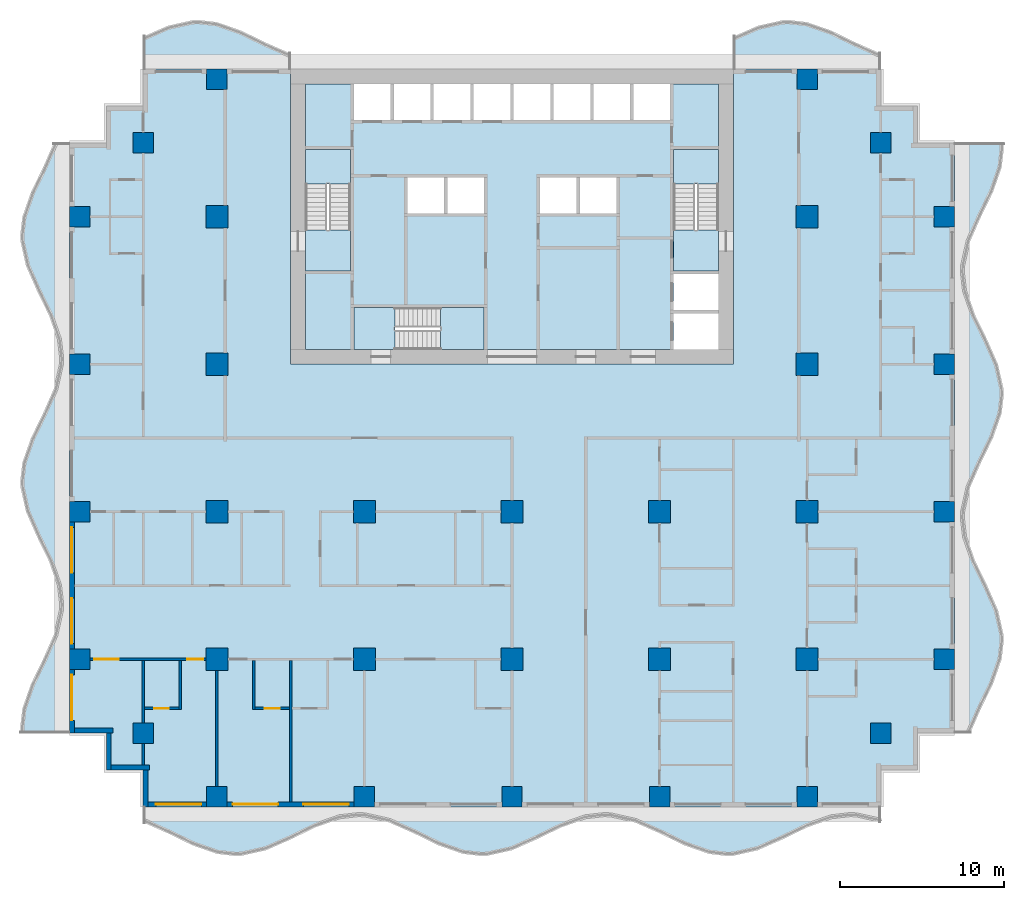
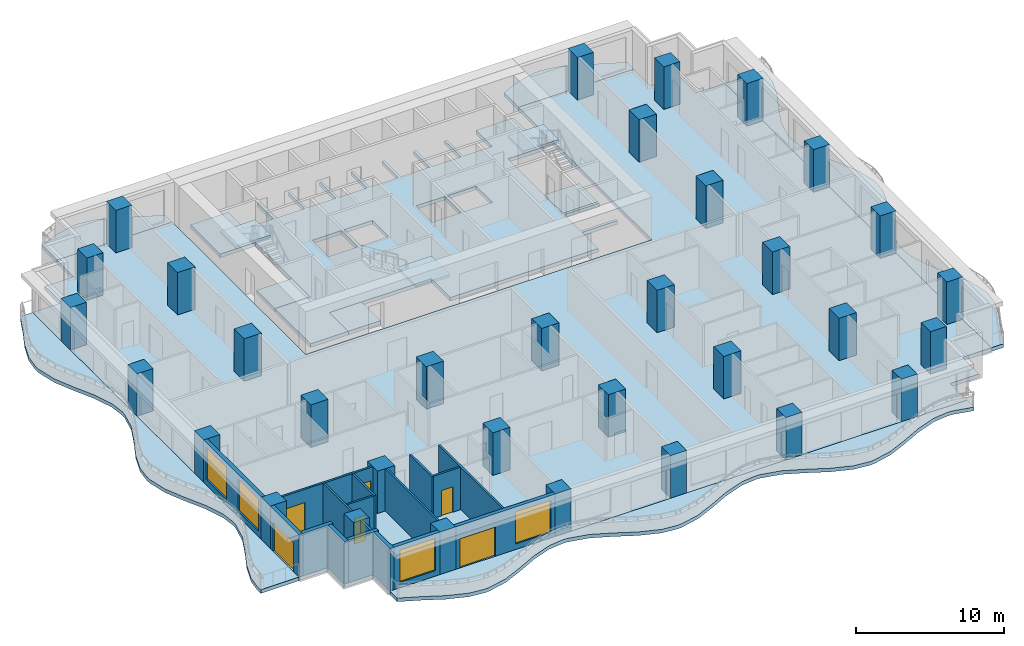
# One storey, part 1 of 14: 33 columns, 17 walls, 13 slabs, 6 doors, 4 windows, 10 openings, 3 elements without a shape of their own.
"""IFC4 building model written with IfcOpenShell, lengths in metres."""

from ifc_helpers import new_model, si_unit, direction, frame, frame_2d, origin, origin_2d, place, context, subcontext, project, spatial, polyline, rectangle, outline, extrude, material, layer, layer_set, material_profile, profile_set, type_object, element, fill, aggregate, save


model = new_model("IFC4")

# Units and contexts
model_context = context("Model", 3, precision=1e-05, world=origin(), true_north=direction((0.0, 1.0)))
body_context = subcontext(model_context, "Body", "Model", "MODEL_VIEW")
ifc_project = project(units=[si_unit("LENGTHUNIT", "METRE"), si_unit("AREAUNIT", "SQUARE_METRE"), si_unit("VOLUMEUNIT", "CUBIC_METRE"), si_unit("PLANEANGLEUNIT", "RADIAN"), si_unit("MASSUNIT", "GRAM", prefix="KILO")], contexts=[model_context])

# Site, building, storey
site_placement = place(None, origin())
site = spatial("IfcSite", under=ifc_project, at=site_placement, CompositionType="ELEMENT")
building_placement = place(site_placement, origin())
building = spatial("IfcBuilding", under=site, at=building_placement, Name="Orbiselva Terraces", CompositionType="ELEMENT")
storey_placement = place(building_placement, frame((0.0, 0.0, 103.6)))
storey = spatial("IfcBuildingStorey", under=building, at=storey_placement, Name="L26", CompositionType="ELEMENT", Elevation=103.6)

# Columns
ifc_material_1 = material(Name="Concrete C70/85", Category="concrete")
ifc_material_profile_1 = material_profile(ifc_material_1, rectangle(XDim=1.35, YDim=1.35, at=origin_2d()), Name="RC 1350x1350")
ifc_profile_set_1 = profile_set([ifc_material_profile_1], Name="Concrete C70/85")
column_type_1 = type_object("IfcColumnType", Name="COLUMN RC 1350x1350", PredefinedType="COLUMN", material=ifc_profile_set_1)
for number, where, z_axis, x_axis, name in (
    (1, (-18.0, -13.5, 0.0), (0.0, 0.0, 1.0), (1.0, 0.0, 0.0), "Column L26-01"),
    (2, (-18.0, -4.5, 0.0), (0.0, 0.0, 1.0), (1.0, 0.0, 0.0), "Column L26-03"),
    (3, (-18.0, 13.5, 0.0), (0.0, 0.0, 1.0), (1.0, 0.0, 0.0), "Column L26-04"),
    (4, (-18.0, 4.5, 0.0), (0.0, 0.0, 1.0), (1.0, 0.0, 0.0), "Column L26-06"),
    (5, (-9.0, -13.5, 0.0), (0.0, 0.0, 1.0), (1.0, 0.0, 0.0), "Column L26-13"),
    (6, (-9.0, -4.5, 0.0), (0.0, 0.0, 1.0), (1.0, 0.0, 0.0), "Column L26-15"),
    (7, (0.0, -13.5, 0.0), (0.0, 0.0, 1.0), (1.0, 0.0, 0.0), "Column L26-16"),
    (8, (0.0, -4.5, 0.0), (0.0, 0.0, 1.0), (1.0, 0.0, 0.0), "Column L26-18"),
    (9, (18.0, -13.5, 0.0), (0.0, 0.0, 1.0), (1.0, 0.0, 0.0), "Column L26-19"),
    (10, (18.0, -4.5, 0.0), (0.0, 0.0, 1.0), (1.0, 0.0, 0.0), "Column L26-21"),
    (11, (18.0, 13.5, 0.0), (0.0, 0.0, 1.0), (1.0, 0.0, 0.0), "Column L26-22"),
    (12, (18.0, 4.5, 0.0), (0.0, 0.0, 1.0), (1.0, 0.0, 0.0), "Column L26-24"),
    (13, (9.0, -13.5, 0.0), (0.0, 0.0, 1.0), (1.0, 0.0, 0.0), "Column L26-31"),
    (14, (9.0, -4.5, 0.0), (0.0, 0.0, 1.0), (1.0, 0.0, 0.0), "Column L26-33"),
):
    element("IfcColumn", number, at=place(storey_placement, frame(where, z_axis=z_axis, x_axis=x_axis)), inside=storey, type_object=column_type_1, Name=name, PredefinedType="COLUMN", context=body_context, shape_type="SweptSolid", body=[
        extrude(rectangle(XDim=1.35, YDim=1.35, at=origin_2d()), origin(), (0.0, 0.0, 1.0), 3.5),
    ])
ifc_material_2 = material(Name="Concrete C60/75", Category="concrete")
ifc_material_profile_2 = material_profile(ifc_material_2, rectangle(XDim=1.25, YDim=1.25, at=origin_2d()), Name="RC 1250x1250")
ifc_profile_set_2 = profile_set([ifc_material_profile_2], Name="Concrete C60/75")
column_type_2 = type_object("IfcColumnType", Name="PERIMETER COLUMN RC 1250x1250", PredefinedType="COLUMN", material=ifc_profile_set_2)
for number, where, z_axis, x_axis, name in (
    (15, (-18.0, -21.875, 0.0), (0.0, 0.0, 1.0), (1.0, 0.0, 0.0), "Column L26-02"),
    (16, (-18.0, 21.875, 0.0), (0.0, 0.0, 1.0), (1.0, 0.0, 0.0), "Column L26-05"),
    (17, (-26.375, -13.5, 0.0), (0.0, 0.0, 1.0), (1.0, 0.0, 0.0), "Column L26-07"),
    (18, (-22.5, -18.0, 0.0), (0.0, 0.0, 1.0), (1.0, 0.0, 0.0), "Column L26-08"),
    (19, (-26.375, -4.5, 0.0), (0.0, 0.0, 1.0), (1.0, 0.0, 0.0), "Column L26-09"),
    (20, (-26.375, 13.5, 0.0), (0.0, 0.0, 1.0), (1.0, 0.0, 0.0), "Column L26-10"),
    (21, (-22.5, 18.0, 0.0), (0.0, 0.0, 1.0), (1.0, 0.0, 0.0), "Column L26-11"),
    (22, (-26.375, 4.5, 0.0), (0.0, 0.0, 1.0), (1.0, 0.0, 0.0), "Column L26-12"),
    (23, (-9.0, -21.875, 0.0), (0.0, 0.0, 1.0), (1.0, 0.0, 0.0), "Column L26-14"),
    (24, (0.0, -21.875, 0.0), (0.0, 0.0, 1.0), (1.0, 0.0, 0.0), "Column L26-17"),
    (25, (18.0, -21.875, 0.0), (0.0, 0.0, 1.0), (1.0, 0.0, 0.0), "Column L26-20"),
    (26, (18.0, 21.875, 0.0), (0.0, 0.0, 1.0), (1.0, 0.0, 0.0), "Column L26-23"),
    (27, (26.375, -13.5, 0.0), (0.0, 0.0, 1.0), (1.0, 0.0, 0.0), "Column L26-25"),
    (28, (22.5, -18.0, 0.0), (0.0, 0.0, 1.0), (1.0, 0.0, 0.0), "Column L26-26"),
    (29, (26.375, -4.5, 0.0), (0.0, 0.0, 1.0), (1.0, 0.0, 0.0), "Column L26-27"),
    (30, (26.375, 13.5, 0.0), (0.0, 0.0, 1.0), (1.0, 0.0, 0.0), "Column L26-28"),
    (31, (22.5, 18.0, 0.0), (0.0, 0.0, 1.0), (1.0, 0.0, 0.0), "Column L26-29"),
    (32, (26.375, 4.5, 0.0), (0.0, 0.0, 1.0), (1.0, 0.0, 0.0), "Column L26-30"),
    (33, (9.0, -21.875, 0.0), (0.0, 0.0, 1.0), (1.0, 0.0, 0.0), "Column L26-32"),
):
    element("IfcColumn", number, at=place(storey_placement, frame(where, z_axis=z_axis, x_axis=x_axis)), inside=storey, type_object=column_type_2, Name=name, PredefinedType="COLUMN", context=body_context, shape_type="SweptSolid", body=[
        extrude(rectangle(XDim=1.25, YDim=1.25, at=origin_2d()), origin(), (0.0, 0.0, 1.0), 3.5),
    ])

# Slabs
ifc_material_3 = material(Name="Concrete C40/50", Category="concrete")
ifc_layer_1 = layer(ifc_material_3, 0.3)
ifc_layer_set_1 = layer_set([ifc_layer_1], Name="Concrete C40/50")
slab_type_1 = type_object("IfcSlabType", Name="CORE-SLAB-FLOOR-300", PredefinedType="FLOOR", material=ifc_layer_set_1)
slab_1_placement = place(storey_placement, frame((0.0, 0.0, -0.3)))
element("IfcSlab", 34, at=slab_1_placement, inside=storey, type_object=slab_type_1, Name="L26 S1 floor landing", PredefinedType="FLOOR", context=body_context, shape_type="SweptSolid", body=[
    extrude(outline(polyline([(-12.6, 12.7), (-9.85, 12.7), (-9.85, 10.2), (-12.6, 10.2), (-12.6, 12.7)])), origin(), (0.0, 0.0, 1.0), 0.3),
])
slab_2_placement = place(storey_placement, frame((0.0, 0.0, -0.3)))
element("IfcSlab", 35, at=slab_2_placement, inside=storey, type_object=slab_type_1, Name="L26 S2 floor landing", PredefinedType="FLOOR", context=body_context, shape_type="SweptSolid", body=[
    extrude(outline(polyline([(12.6, 12.7), (12.6, 10.2), (9.85, 10.2), (9.85, 12.7), (12.6, 12.7)])), origin(), (0.0, 0.0, 1.0), 0.3),
])
slab_3_placement = place(storey_placement, frame((0.0, 0.0, -0.3)))
element("IfcSlab", 36, at=slab_3_placement, inside=storey, type_object=slab_type_1, Name="L26 S3 floor landing", PredefinedType="FLOOR", context=body_context, shape_type="SweptSolid", body=[
    extrude(outline(polyline([(-7.15, 5.4), (-9.65, 5.4), (-9.65, 7.95), (-7.15, 7.95), (-7.15, 5.4)])), origin(), (0.0, 0.0, 1.0), 0.3),
])
slab_4_placement = place(storey_placement, frame((0.0, 0.0, -0.3)))
element("IfcSlab", 37, at=slab_4_placement, inside=storey, type_object=slab_type_1, Name="L26 core floor slab 1", PredefinedType="FLOOR", context=body_context, shape_type="SweptSolid", body=[
    extrude(outline(polyline([(-1.7, 5.4), (-1.7, 7.95), (-9.65, 7.95), (-9.65, 5.4), (-12.6, 5.4), (-12.6, 10.2), (-9.85, 10.2), (-9.85, 17.6), (-12.6, 17.6), (-12.6, 21.6), (-9.65, 21.6), (-9.65, 19.4), (-7.4125, 19.4), (-7.4125, 21.6), (-7.2125, 21.6), (-7.2125, 19.4), (-4.975, 19.4), (-4.975, 21.6), (-4.775, 21.6), (-4.775, 19.4), (-2.5375, 19.4), (-2.5375, 21.6), (-2.3375, 21.6), (-2.3375, 19.4), (-0.1, 19.4), (-0.1, 21.6), (0.1, 21.6), (0.1, 19.4), (2.3375, 19.4), (2.3375, 21.6), (2.5375, 21.6), (2.5375, 19.4), (4.775, 19.4), (4.775, 21.6), (4.975, 21.6), (4.975, 19.4), (7.2125, 19.4), (7.2125, 21.6), (7.4125, 21.6), (7.4125, 19.4), (9.65, 19.4), (9.65, 21.6), (12.6, 21.6), (12.6, 17.6), (9.85, 17.6), (9.85, 10.2), (12.6, 10.2), (12.6, 10.0), (9.85, 10.0), (9.85, 7.8), (12.6, 7.8), (12.6, 7.6), (9.85, 7.6), (9.85, 5.4), (-1.7, 5.4)]), holes=[polyline([(-4.1375, 13.7), (-4.1375, 15.9), (-6.375, 15.9), (-6.375, 13.7), (-4.1375, 13.7)]), polyline([(-1.7, 13.7), (-1.7, 15.9), (-3.9375, 15.9), (-3.9375, 13.7), (-1.7, 13.7)]), polyline([(3.9375, 13.7), (3.9375, 15.9), (1.7, 15.9), (1.7, 13.7), (3.9375, 13.7)]), polyline([(6.375, 13.7), (6.375, 15.9), (4.1375, 15.9), (4.1375, 13.7), (6.375, 13.7)])]), origin(), (0.0, 0.0, 1.0), 0.3),
])

# Stair, slab
stair_type_1 = type_object("IfcStairType", Name="CORE-STAIR-1300", PredefinedType="HALF_TURN_STAIR", material=ifc_material_3)
stair_1_placement = place(storey_placement, origin())
stair_1 = element("IfcStair", 38, at=stair_1_placement, inside=storey, type_object=stair_type_1, Name="L26 Exit Stair S1", PredefinedType="HALF_TURN_STAIR")
ifc_layer_2 = layer(ifc_material_3, 0.2)
ifc_layer_set_2 = layer_set([ifc_layer_2], Name="Concrete C40/50")
slab_type_2 = type_object("IfcSlabType", Name="CORE-STAIR-LANDING-200", PredefinedType="LANDING", material=ifc_layer_set_2)
slab_5_placement = place(storey_placement, frame((0.0, 0.0, 1.7)))
slab_5 = element("IfcSlab", 39, at=slab_5_placement, type_object=slab_type_2, Name="S1 landing 1", PredefinedType="LANDING", context=body_context, shape_type="SweptSolid", body=[
    extrude(outline(polyline([(-9.85, 15.5), (-9.85, 17.6), (-12.6, 17.6), (-12.6, 15.5), (-9.85, 15.5)])), origin(), (0.0, 0.0, 1.0), 0.2),
])
aggregate(stair_1, [slab_5])

stair_2_placement = place(storey_placement, origin())
stair_2 = element("IfcStair", 40, at=stair_2_placement, inside=storey, type_object=stair_type_1, Name="L26 Exit Stair S2", PredefinedType="HALF_TURN_STAIR")
slab_6_placement = place(storey_placement, frame((0.0, 0.0, 1.7)))
slab_6 = element("IfcSlab", 41, at=slab_6_placement, type_object=slab_type_2, Name="S2 landing 1", PredefinedType="LANDING", context=body_context, shape_type="SweptSolid", body=[
    extrude(outline(polyline([(12.6, 15.5), (12.6, 17.6), (9.85, 17.6), (9.85, 15.5), (12.6, 15.5)])), origin(), (0.0, 0.0, 1.0), 0.2),
])
aggregate(stair_2, [slab_6])

stair_type_2 = type_object("IfcStairType", Name="CORE-STAIR-1200", PredefinedType="HALF_TURN_STAIR", material=ifc_material_3)
stair_3_placement = place(storey_placement, origin())
stair_3 = element("IfcStair", 42, at=stair_3_placement, inside=storey, type_object=stair_type_2, Name="L26 Exit Stair S3", PredefinedType="HALF_TURN_STAIR")
slab_7_placement = place(storey_placement, frame((0.0, 0.0, 1.7)))
slab_7 = element("IfcSlab", 43, at=slab_7_placement, type_object=slab_type_2, Name="S3 landing 1", PredefinedType="LANDING", context=body_context, shape_type="SweptSolid", body=[
    extrude(outline(polyline([(-4.35, 5.4), (-1.7, 5.4), (-1.7, 7.95), (-4.35, 7.95), (-4.35, 5.4)])), origin(), (0.0, 0.0, 1.0), 0.2),
])
aggregate(stair_3, [slab_7])

# Slabs
ifc_material_4 = material(Name="Concrete C50/60", Category="concrete")
ifc_layer_3 = layer(ifc_material_4, 0.3)
ifc_layer_set_3 = layer_set([ifc_layer_3], Name="Concrete C50/60")
slab_type_3 = type_object("IfcSlabType", Name="ENV-BALCONY-SLAB-300", PredefinedType="FLOOR", material=ifc_layer_set_3)
slab_8_placement = place(storey_placement, frame((0.0, 0.0, -0.3)))
element("IfcSlab", 44, at=slab_8_placement, inside=storey, type_object=slab_type_3, Name="Balcony slab L26 S", PredefinedType="FLOOR", context=body_context, shape_type="SweptSolid", body=[
    extrude(outline(polyline([(-22.5, -23.451472), (-21.0, -24.112279), (-19.5, -24.844789), (-18.0, -25.369208), (-16.875, -25.5), (-16.5, -25.485226), (-15.0, -25.148528), (-13.5, -24.487721), (-12.0, -23.755211), (-10.5, -23.230792), (-9.375, -23.1), (-9.0, -23.114774), (-7.5, -23.451472), (-6.0, -24.112279), (-4.5, -24.844789), (-3.0, -25.369208), (-1.875, -25.5), (-1.5, -25.485226), (0.0, -25.148528), (1.5, -24.487721), (3.0, -23.755211), (4.5, -23.230792), (5.625, -23.1), (6.0, -23.114774), (7.5, -23.451472), (9.0, -24.112279), (10.5, -24.844789), (12.0, -25.369208), (13.125, -25.5), (13.5, -25.485226), (15.0, -25.148528), (16.5, -24.487721), (18.0, -23.755211), (19.5, -23.230792), (20.625, -23.1), (21.0, -23.114774), (22.5, -23.451472), (22.5, -22.5), (-22.5, -22.5), (-22.5, -23.451472)])), origin(), (0.0, 0.0, 1.0), 0.3),
])
slab_9_placement = place(storey_placement, frame((0.0, 0.0, -0.3)))
element("IfcSlab", 45, at=slab_9_placement, inside=storey, type_object=slab_type_3, Name="Balcony slab L26 E", PredefinedType="FLOOR", context=body_context, shape_type="SweptSolid", body=[
    extrude(outline(polyline([(27.951472, -18.0), (28.612279, -16.5), (29.344789, -15.0), (29.869208, -13.5), (30.0, -12.375), (29.985226, -12.0), (29.648528, -10.5), (28.987721, -9.0), (28.255211, -7.5), (27.730792, -6.0), (27.6, -4.875), (27.614774, -4.5), (27.951472, -3.0), (28.612279, -1.5), (29.344789, 0.0), (29.869208, 1.5), (30.0, 2.625), (29.985226, 3.0), (29.648528, 4.5), (28.987721, 6.0), (28.255211, 7.5), (27.730792, 9.0), (27.6, 10.125), (27.614774, 10.5), (27.951472, 12.0), (28.612279, 13.5), (29.344789, 15.0), (29.869208, 16.5), (30.0, 17.625), (29.985226, 18.0), (27.0, 18.0), (27.0, -18.0), (27.951472, -18.0)])), origin(), (0.0, 0.0, 1.0), 0.3),
])
slab_10_placement = place(storey_placement, frame((0.0, 0.0, -0.3)))
element("IfcSlab", 46, at=slab_10_placement, inside=storey, type_object=slab_type_3, Name="Balcony slab L26 NE", PredefinedType="FLOOR", context=body_context, shape_type="SweptSolid", body=[
    extrude(outline(polyline([(22.5, 23.451472), (21.0, 24.112279), (19.5, 24.844789), (18.0, 25.369208), (16.875, 25.5), (16.5, 25.485226), (15.0, 25.148528), (13.5, 24.487721), (13.5, 22.5), (22.5, 22.5), (22.5, 23.451472)])), origin(), (0.0, 0.0, 1.0), 0.3),
])
slab_11_placement = place(storey_placement, frame((0.0, 0.0, -0.3)))
element("IfcSlab", 47, at=slab_11_placement, inside=storey, type_object=slab_type_3, Name="Balcony slab L26 NW", PredefinedType="FLOOR", context=body_context, shape_type="SweptSolid", body=[
    extrude(outline(polyline([(-13.5, 23.451472), (-15.0, 24.112279), (-16.5, 24.844789), (-18.0, 25.369208), (-19.125, 25.5), (-19.5, 25.485226), (-21.0, 25.148528), (-22.5, 24.487721), (-22.5, 22.5), (-13.5, 22.5), (-13.5, 23.451472)])), origin(), (0.0, 0.0, 1.0), 0.3),
])
slab_12_placement = place(storey_placement, frame((0.0, 0.0, -0.3)))
element("IfcSlab", 48, at=slab_12_placement, inside=storey, type_object=slab_type_3, Name="Balcony slab L26 W", PredefinedType="FLOOR", context=body_context, shape_type="SweptSolid", body=[
    extrude(outline(polyline([(-27.951472, 18.0), (-28.612279, 16.5), (-29.344789, 15.0), (-29.869208, 13.5), (-30.0, 12.375), (-29.985226, 12.0), (-29.648528, 10.5), (-28.987721, 9.0), (-28.255211, 7.5), (-27.730792, 6.0), (-27.6, 4.875), (-27.614774, 4.5), (-27.951472, 3.0), (-28.612279, 1.5), (-29.344789, 0.0), (-29.869208, -1.5), (-30.0, -2.625), (-29.985226, -3.0), (-29.648528, -4.5), (-28.987721, -6.0), (-28.255211, -7.5), (-27.730792, -9.0), (-27.6, -10.125), (-27.614774, -10.5), (-27.951472, -12.0), (-28.612279, -13.5), (-29.344789, -15.0), (-29.869208, -16.5), (-30.0, -17.625), (-29.985226, -18.0), (-27.0, -18.0), (-27.0, 18.0), (-27.951472, 18.0)])), origin(), (0.0, 0.0, 1.0), 0.3),
])
ifc_layer_4 = layer(ifc_material_4, 0.3)
ifc_layer_set_4 = layer_set([ifc_layer_4], Name="Concrete C50/60")
slab_type_4 = type_object("IfcSlabType", Name="FLOOR SLAB 300", PredefinedType="FLOOR", material=ifc_layer_set_4)
slab_13_placement = place(storey_placement, frame((0.0, 0.0, -0.3)))
element("IfcSlab", 49, at=slab_13_placement, inside=storey, type_object=slab_type_4, Name="Floor slab L26", PredefinedType="FLOOR", context=body_context, shape_type="SweptSolid", body=[
    extrude(outline(polyline([(22.5, 22.5), (22.5, 20.25), (24.75, 20.25), (24.75, 18.0), (27.0, 18.0), (27.0, -18.0), (24.75, -18.0), (24.75, -20.25), (22.5, -20.25), (22.5, -22.5), (-22.5, -22.5), (-22.5, -20.25), (-24.75, -20.25), (-24.75, -18.0), (-27.0, -18.0), (-27.0, 18.0), (-24.75, 18.0), (-24.75, 20.25), (-22.5, 20.25), (-22.5, 22.5), (-13.5, 22.5), (-13.5, 4.5), (13.5, 4.5), (13.5, 22.5), (22.5, 22.5)])), origin(), (0.0, 0.0, 1.0), 0.3),
])

# Wall, opening, window
ifc_material_5 = material(Name="Terracotta cladding on masonry backing", Category="masonry")
ifc_layer_5 = layer(ifc_material_5, 0.3)
ifc_layer_set_5 = layer_set([ifc_layer_5], Name="Terracotta cladding on masonry backing")
wall_type_1 = type_object("IfcWallType", Name="ENV-WALL-TERRACOTTA-300", PredefinedType="SOLIDWALL", material=ifc_layer_set_5)
wall_1_placement = place(storey_placement, frame((-18.625, -22.35, 0.0), z_axis=(0.0, 0.0, 1.0), x_axis=(-1.0, 0.0, 0.0)))
wall_1 = element("IfcWall", 50, at=wall_1_placement, inside=storey, type_object=wall_type_1, Name="Facade wall L26 S", PredefinedType="SOLIDWALL", context=body_context, shape_type="SweptSolid", body=[
    extrude(rectangle(XDim=3.575, YDim=0.3, at=frame_2d((1.7875, 0.0))), origin(), (0.0, 0.0, 1.0), 3.5),
])
opening_1_placement = place(wall_1_placement, frame((0.325, 0.0, 0.45)))
opening_1 = element("IfcOpeningElement", 51, at=opening_1_placement, cuts=wall_1, Name="Opening WN6", PredefinedType="OPENING", context=body_context, shape_type="SweptSolid", body=[
    extrude(rectangle(XDim=2.775, YDim=2.65, at=frame_2d((1.3875, 1.325))), frame((0.0, 0.16, 0.0), z_axis=(0.0, -1.0, 0.0), x_axis=(1.0, 0.0, 0.0)), (0.0, 0.0, 1.0), 0.32),
])
ifc_material_6 = material(Name="Clear low-e glazing in aluminium frame", Category="aluminium")
window_type = type_object("IfcWindowType", Name="WINDOW 2775 X 2650 S450", PartitioningType="TRIPLE_PANEL_VERTICAL", PredefinedType="WINDOW", material=ifc_material_6)
window_1_placement = place(opening_1_placement, origin())
window_1 = element("IfcWindow", 52, at=window_1_placement, inside=storey, type_object=window_type, Name="Window L26 S", OverallHeight=2.65, OverallWidth=2.775, PartitioningType="SINGLE_PANEL", PredefinedType="WINDOW", context=body_context, shape_type="SweptSolid", body=[
    extrude(rectangle(XDim=2.775, YDim=2.65, at=frame_2d((1.3875, 1.325))), frame((0.0, 0.03, 0.0), z_axis=(0.0, -1.0, 0.0), x_axis=(1.0, 0.0, 0.0)), (0.0, 0.0, 1.0), 0.06),
])
fill(opening_1, window_1)

# Wall, openings, door, window
wall_2_placement = place(storey_placement, frame((-9.625, -22.35, 0.0), z_axis=(0.0, 0.0, 1.0), x_axis=(-1.0, 0.0, 0.0)))
wall_2 = element("IfcWall", 53, at=wall_2_placement, inside=storey, type_object=wall_type_1, Name="Facade wall L26 S", PredefinedType="SOLIDWALL", context=body_context, shape_type="SweptSolid", body=[
    extrude(rectangle(XDim=7.75, YDim=0.3, at=frame_2d((3.875, 0.0))), origin(), (0.0, 0.0, 1.0), 3.5),
])
opening_2_placement = place(wall_2_placement, frame((4.65, 0.0, 0.0)))
opening_2 = element("IfcOpeningElement", 54, at=opening_2_placement, cuts=wall_2, Name="Opening Z2-D-E01", PredefinedType="OPENING", context=body_context, shape_type="SweptSolid", body=[
    extrude(rectangle(XDim=2.775, YDim=2.4, at=frame_2d((1.3875, 1.2))), frame((0.0, 0.16, 0.0), z_axis=(0.0, -1.0, 0.0), x_axis=(1.0, 0.0, 0.0)), (0.0, 0.0, 1.0), 0.32),
])
opening_3_placement = place(wall_2_placement, frame((0.325, 0.0, 0.45)))
opening_3 = element("IfcOpeningElement", 55, at=opening_3_placement, cuts=wall_2, Name="Opening WN6", PredefinedType="OPENING", context=body_context, shape_type="SweptSolid", body=[
    extrude(rectangle(XDim=2.775, YDim=2.65, at=frame_2d((1.3875, 1.325))), frame((0.0, 0.16, 0.0), z_axis=(0.0, -1.0, 0.0), x_axis=(1.0, 0.0, 0.0)), (0.0, 0.0, 1.0), 0.32),
])
door_type_1 = type_object("IfcDoorType", Name="BALCONY DOOR 2775 X 2400", OperationType="DOUBLE_DOOR_SLIDING", PredefinedType="DOOR", material=ifc_material_6)
door_1_placement = place(opening_2_placement, origin())
door_1 = element("IfcDoor", 56, at=door_1_placement, inside=storey, type_object=door_type_1, Name="Z2-D-E01", OperationType="SINGLE_SWING_LEFT", OverallHeight=2.4, OverallWidth=2.775, PredefinedType="DOOR", context=body_context, shape_type="SweptSolid", body=[
    extrude(rectangle(XDim=2.775, YDim=2.4, at=frame_2d((1.3875, 1.2))), frame((0.0, 0.025, 0.0), z_axis=(0.0, -1.0, 0.0), x_axis=(1.0, 0.0, 0.0)), (0.0, 0.0, 1.0), 0.05),
])
fill(opening_2, door_1)
window_2_placement = place(opening_3_placement, origin())
window_2 = element("IfcWindow", 57, at=window_2_placement, inside=storey, type_object=window_type, Name="Window L26 S", OverallHeight=2.65, OverallWidth=2.775, PartitioningType="SINGLE_PANEL", PredefinedType="WINDOW", context=body_context, shape_type="SweptSolid", body=[
    extrude(rectangle(XDim=2.775, YDim=2.65, at=frame_2d((1.3875, 1.325))), frame((0.0, 0.03, 0.0), z_axis=(0.0, -1.0, 0.0), x_axis=(1.0, 0.0, 0.0)), (0.0, 0.0, 1.0), 0.06),
])
fill(opening_3, window_2)

# Wall, openings, windows
wall_3_placement = place(storey_placement, frame((-26.85, -12.875, 0.0), z_axis=(0.0, 0.0, 1.0), x_axis=(0.0, 1.0, 0.0)))
wall_3 = element("IfcWall", 58, at=wall_3_placement, inside=storey, type_object=wall_type_1, Name="Facade wall L26 W", PredefinedType="SOLIDWALL", context=body_context, shape_type="SweptSolid", body=[
    extrude(rectangle(XDim=7.75, YDim=0.3, at=frame_2d((3.875, 0.0))), origin(), (0.0, 0.0, 1.0), 3.5),
])
opening_4_placement = place(wall_3_placement, frame((4.65, 0.0, 0.45)))
opening_4 = element("IfcOpeningElement", 59, at=opening_4_placement, cuts=wall_3, Name="Opening WN6", PredefinedType="OPENING", context=body_context, shape_type="SweptSolid", body=[
    extrude(rectangle(XDim=2.775, YDim=2.65, at=frame_2d((1.3875, 1.325))), frame((0.0, 0.16, 0.0), z_axis=(0.0, -1.0, 0.0), x_axis=(1.0, 0.0, 0.0)), (0.0, 0.0, 1.0), 0.32),
])
opening_5_placement = place(wall_3_placement, frame((0.325, 0.0, 0.45)))
opening_5 = element("IfcOpeningElement", 60, at=opening_5_placement, cuts=wall_3, Name="Opening WN6", PredefinedType="OPENING", context=body_context, shape_type="SweptSolid", body=[
    extrude(rectangle(XDim=2.775, YDim=2.65, at=frame_2d((1.3875, 1.325))), frame((0.0, 0.16, 0.0), z_axis=(0.0, -1.0, 0.0), x_axis=(1.0, 0.0, 0.0)), (0.0, 0.0, 1.0), 0.32),
])
window_3_placement = place(opening_4_placement, origin())
window_3 = element("IfcWindow", 61, at=window_3_placement, inside=storey, type_object=window_type, Name="Window L26 W", OverallHeight=2.65, OverallWidth=2.775, PartitioningType="SINGLE_PANEL", PredefinedType="WINDOW", context=body_context, shape_type="SweptSolid", body=[
    extrude(rectangle(XDim=2.775, YDim=2.65, at=frame_2d((1.3875, 1.325))), frame((0.0, 0.03, 0.0), z_axis=(0.0, -1.0, 0.0), x_axis=(1.0, 0.0, 0.0)), (0.0, 0.0, 1.0), 0.06),
])
fill(opening_4, window_3)
window_4_placement = place(opening_5_placement, origin())
window_4 = element("IfcWindow", 62, at=window_4_placement, inside=storey, type_object=window_type, Name="Window L26 W", OverallHeight=2.65, OverallWidth=2.775, PartitioningType="SINGLE_PANEL", PredefinedType="WINDOW", context=body_context, shape_type="SweptSolid", body=[
    extrude(rectangle(XDim=2.775, YDim=2.65, at=frame_2d((1.3875, 1.325))), frame((0.0, 0.03, 0.0), z_axis=(0.0, -1.0, 0.0), x_axis=(1.0, 0.0, 0.0)), (0.0, 0.0, 1.0), 0.06),
])
fill(opening_5, window_4)

# Wall, opening, door
wall_4_placement = place(storey_placement, frame((-26.85, -18.0, 0.0), z_axis=(0.0, 0.0, 1.0), x_axis=(0.0, 1.0, 0.0)))
wall_4 = element("IfcWall", 63, at=wall_4_placement, inside=storey, type_object=wall_type_1, Name="Facade wall L26 W", PredefinedType="SOLIDWALL", context=body_context, shape_type="SweptSolid", body=[
    extrude(rectangle(XDim=3.875, YDim=0.3, at=frame_2d((1.9375, 0.0))), origin(), (0.0, 0.0, 1.0), 3.5),
])
opening_6_placement = place(wall_4_placement, frame((0.775, 0.0, 0.0)))
opening_6 = element("IfcOpeningElement", 64, at=opening_6_placement, cuts=wall_4, Name="Opening Z2-D-E12", PredefinedType="OPENING", context=body_context, shape_type="SweptSolid", body=[
    extrude(rectangle(XDim=2.775, YDim=2.4, at=frame_2d((1.3875, 1.2))), frame((0.0, 0.16, 0.0), z_axis=(0.0, -1.0, 0.0), x_axis=(1.0, 0.0, 0.0)), (0.0, 0.0, 1.0), 0.32),
])
door_2_placement = place(opening_6_placement, origin())
door_2 = element("IfcDoor", 65, at=door_2_placement, inside=storey, type_object=door_type_1, Name="Z2-D-E12", OperationType="SINGLE_SWING_LEFT", OverallHeight=2.4, OverallWidth=2.775, PredefinedType="DOOR", context=body_context, shape_type="SweptSolid", body=[
    extrude(rectangle(XDim=2.775, YDim=2.4, at=frame_2d((1.3875, 1.2))), frame((0.0, 0.025, 0.0), z_axis=(0.0, -1.0, 0.0), x_axis=(1.0, 0.0, 0.0)), (0.0, 0.0, 1.0), 0.05),
])
fill(opening_6, door_2)

# Walls
wall_5_placement = place(storey_placement, frame((-24.35, -17.85, 0.0), z_axis=(0.0, 0.0, 1.0), x_axis=(-1.0, 0.0, 0.0)))
element("IfcWall", 66, at=wall_5_placement, inside=storey, type_object=wall_type_1, Name="Facade wall L26 STEP", PredefinedType="SOLIDWALL", context=body_context, shape_type="SweptSolid", body=[
    extrude(rectangle(XDim=2.35, YDim=0.3, at=frame_2d((1.175, 0.0))), origin(), (0.0, 0.0, 1.0), 3.5),
])
wall_6_placement = place(storey_placement, frame((-24.6, -20.25, 0.0), z_axis=(0.0, 0.0, 1.0), x_axis=(0.0, 1.0, 0.0)))
element("IfcWall", 67, at=wall_6_placement, inside=storey, type_object=wall_type_1, Name="Facade wall L26 STEP", PredefinedType="SOLIDWALL", context=body_context, shape_type="SweptSolid", body=[
    extrude(rectangle(XDim=2.25, YDim=0.3, at=frame_2d((1.125, 0.0))), origin(), (0.0, 0.0, 1.0), 3.5),
])
wall_7_placement = place(storey_placement, frame((-22.1, -20.1, 0.0), z_axis=(0.0, 0.0, 1.0), x_axis=(-1.0, 0.0, 0.0)))
element("IfcWall", 68, at=wall_7_placement, inside=storey, type_object=wall_type_1, Name="Facade wall L26 STEP", PredefinedType="SOLIDWALL", context=body_context, shape_type="SweptSolid", body=[
    extrude(rectangle(XDim=2.35, YDim=0.3, at=frame_2d((1.175, 0.0))), origin(), (0.0, 0.0, 1.0), 3.5),
])
wall_8_placement = place(storey_placement, frame((-22.35, -22.5, 0.0), z_axis=(0.0, 0.0, 1.0), x_axis=(0.0, 1.0, 0.0)))
element("IfcWall", 69, at=wall_8_placement, inside=storey, type_object=wall_type_1, Name="Facade wall L26 STEP", PredefinedType="SOLIDWALL", context=body_context, shape_type="SweptSolid", body=[
    extrude(rectangle(XDim=2.25, YDim=0.3, at=frame_2d((1.125, 0.0))), origin(), (0.0, 0.0, 1.0), 3.5),
])

# Wall, opening, door
ifc_material_7 = material(Name="Plasterboard on steel stud partition", Category="steel")
ifc_layer_6 = layer(ifc_material_7, 0.15)
ifc_layer_set_6 = layer_set([ifc_layer_6], Name="Plasterboard on steel stud partition")
wall_type_2 = type_object("IfcWallType", Name="UNIT-PARTITION-150", PredefinedType="PARTITIONING", material=ifc_layer_set_6)
wall_9_placement = place(storey_placement, frame((-22.425, -16.5, 0.0), z_axis=(0.0, 0.0, 1.0), x_axis=(1.0, 0.0, 0.0)))
wall_9 = element("IfcWall", 70, at=wall_9_placement, inside=storey, type_object=wall_type_2, Name="PARTITION L26-003", PredefinedType="PARTITIONING", context=body_context, shape_type="SweptSolid", body=[
    extrude(rectangle(XDim=2.1, YDim=0.15, at=frame_2d((1.05, 0.0))), origin(), (0.0, 0.0, 1.0), 3.5),
])
opening_7_placement = place(wall_9_placement, frame((0.6, 0.0, 0.0)))
opening_7 = element("IfcOpeningElement", 71, at=opening_7_placement, cuts=wall_9, Name="Opening Z2-D-32", PredefinedType="OPENING", context=body_context, shape_type="SweptSolid", body=[
    extrude(rectangle(XDim=0.9, YDim=2.1, at=frame_2d((0.45, 1.05))), frame((0.0, 0.085, 0.0), z_axis=(0.0, -1.0, 0.0), x_axis=(1.0, 0.0, 0.0)), (0.0, 0.0, 1.0), 0.17),
])
ifc_material_8 = material(Name="Painted timber door leaf", Category="wood")
door_type_2 = type_object("IfcDoorType", Name="BATH DOOR 900", OperationType="NOTDEFINED", PredefinedType="DOOR", material=ifc_material_8)
door_3_placement = place(opening_7_placement, origin())
door_3 = element("IfcDoor", 72, at=door_3_placement, inside=storey, type_object=door_type_2, Name="Z2-D-32", OperationType="SINGLE_SWING_LEFT", OverallHeight=2.1, OverallWidth=0.9, PredefinedType="DOOR", context=body_context, shape_type="SweptSolid", body=[
    extrude(rectangle(XDim=0.9, YDim=2.1, at=frame_2d((0.45, 1.05))), frame((0.0, 0.025, 0.0), z_axis=(0.0, -1.0, 0.0), x_axis=(1.0, 0.0, 0.0)), (0.0, 0.0, 1.0), 0.05),
])
fill(opening_7, door_3)

wall_10_placement = place(storey_placement, frame((-15.675, -16.5, 0.0), z_axis=(0.0, 0.0, 1.0), x_axis=(1.0, 0.0, 0.0)))
wall_10 = element("IfcWall", 73, at=wall_10_placement, inside=storey, type_object=wall_type_2, Name="PARTITION L26-004", PredefinedType="PARTITIONING", context=body_context, shape_type="SweptSolid", body=[
    extrude(rectangle(XDim=2.1, YDim=0.15, at=frame_2d((1.05, 0.0))), origin(), (0.0, 0.0, 1.0), 3.5),
])
opening_8_placement = place(wall_10_placement, frame((0.6, 0.0, 0.0)))
opening_8 = element("IfcOpeningElement", 74, at=opening_8_placement, cuts=wall_10, Name="Opening Z2-D-30", PredefinedType="OPENING", context=body_context, shape_type="SweptSolid", body=[
    extrude(rectangle(XDim=0.9, YDim=2.1, at=frame_2d((0.45, 1.05))), frame((0.0, 0.085, 0.0), z_axis=(0.0, -1.0, 0.0), x_axis=(1.0, 0.0, 0.0)), (0.0, 0.0, 1.0), 0.17),
])
door_4_placement = place(opening_8_placement, origin())
door_4 = element("IfcDoor", 75, at=door_4_placement, inside=storey, type_object=door_type_2, Name="Z2-D-30", OperationType="SINGLE_SWING_LEFT", OverallHeight=2.1, OverallWidth=0.9, PredefinedType="DOOR", context=body_context, shape_type="SweptSolid", body=[
    extrude(rectangle(XDim=0.9, YDim=2.1, at=frame_2d((0.45, 1.05))), frame((0.0, 0.025, 0.0), z_axis=(0.0, -1.0, 0.0), x_axis=(1.0, 0.0, 0.0)), (0.0, 0.0, 1.0), 0.05),
])
fill(opening_8, door_4)

# Wall, openings, doors
wall_11_placement = place(storey_placement, frame((-18.675, -13.5, 0.0), z_axis=(0.0, 0.0, 1.0), x_axis=(-1.0, 0.0, 0.0)))
wall_11 = element("IfcWall", 76, at=wall_11_placement, inside=storey, type_object=wall_type_2, Name="PARTITION L26-009", PredefinedType="PARTITIONING", context=body_context, shape_type="SweptSolid", body=[
    extrude(rectangle(XDim=7.075, YDim=0.15, at=frame_2d((3.5375, 0.0))), origin(), (0.0, 0.0, 1.0), 3.5),
])
opening_9_placement = place(wall_11_placement, frame((0.15, 0.0, 0.0)))
opening_9 = element("IfcOpeningElement", 77, at=opening_9_placement, cuts=wall_11, Name="Opening Z2-D-31", PredefinedType="OPENING", context=body_context, shape_type="SweptSolid", body=[
    extrude(rectangle(XDim=1.0, YDim=2.4, at=frame_2d((0.5, 1.2))), frame((0.0, 0.085, 0.0), z_axis=(0.0, -1.0, 0.0), x_axis=(1.0, 0.0, 0.0)), (0.0, 0.0, 1.0), 0.17),
])
opening_10_placement = place(wall_11_placement, frame((5.325, 0.0, 0.0)))
opening_10 = element("IfcOpeningElement", 78, at=opening_10_placement, cuts=wall_11, Name="Opening Z2-D-33", PredefinedType="OPENING", context=body_context, shape_type="SweptSolid", body=[
    extrude(rectangle(XDim=1.5, YDim=2.4, at=frame_2d((0.75, 1.2))), frame((0.0, 0.085, 0.0), z_axis=(0.0, -1.0, 0.0), x_axis=(1.0, 0.0, 0.0)), (0.0, 0.0, 1.0), 0.17),
])
door_type_3 = type_object("IfcDoorType", Name="DOUBLE DOOR 1500", OperationType="NOTDEFINED", PredefinedType="DOOR", material=ifc_material_8)
door_5_placement = place(opening_10_placement, origin())
door_5 = element("IfcDoor", 79, at=door_5_placement, inside=storey, type_object=door_type_3, Name="Z2-D-33", OperationType="DOUBLE_DOOR_SINGLE_SWING", OverallHeight=2.4, OverallWidth=1.5, PredefinedType="DOOR", context=body_context, shape_type="SweptSolid", body=[
    extrude(rectangle(XDim=1.5, YDim=2.4, at=frame_2d((0.75, 1.2))), frame((0.0, 0.025, 0.0), z_axis=(0.0, -1.0, 0.0), x_axis=(1.0, 0.0, 0.0)), (0.0, 0.0, 1.0), 0.05),
])
fill(opening_10, door_5)
door_type_4 = type_object("IfcDoorType", Name="ROOM DOOR 1000", OperationType="NOTDEFINED", PredefinedType="DOOR", material=ifc_material_8)
door_6_placement = place(opening_9_placement, origin())
door_6 = element("IfcDoor", 80, at=door_6_placement, inside=storey, type_object=door_type_4, Name="Z2-D-31", OperationType="SINGLE_SWING_LEFT", OverallHeight=2.4, OverallWidth=1.0, PredefinedType="DOOR", context=body_context, shape_type="SweptSolid", body=[
    extrude(rectangle(XDim=1.0, YDim=2.4, at=frame_2d((0.5, 1.2))), frame((0.0, 0.025, 0.0), z_axis=(0.0, -1.0, 0.0), x_axis=(1.0, 0.0, 0.0)), (0.0, 0.0, 1.0), 0.05),
])
fill(opening_9, door_6)

# Walls
wall_12_placement = place(storey_placement, frame((-22.5, -19.95, 0.0), z_axis=(0.0, 0.0, 1.0), x_axis=(0.0, 1.0, 0.0)))
element("IfcWall", 81, at=wall_12_placement, inside=storey, type_object=wall_type_2, Name="PARTITION L26-047", PredefinedType="PARTITIONING", context=body_context, shape_type="SweptSolid", body=[
    extrude(rectangle(XDim=1.325, YDim=0.15, at=frame_2d((0.6625, 0.0))), origin(), (0.0, 0.0, 1.0), 3.5),
])
wall_13_placement = place(storey_placement, frame((-22.5, -17.375, 0.0), z_axis=(0.0, 0.0, 1.0), x_axis=(0.0, 1.0, 0.0)))
element("IfcWall", 82, at=wall_13_placement, inside=storey, type_object=wall_type_2, Name="PARTITION L26-048", PredefinedType="PARTITIONING", context=body_context, shape_type="SweptSolid", body=[
    extrude(rectangle(XDim=3.8, YDim=0.15, at=frame_2d((1.9, 0.0))), origin(), (0.0, 0.0, 1.0), 3.5),
])
wall_14_placement = place(storey_placement, frame((-20.25, -16.575, 0.0), z_axis=(0.0, 0.0, 1.0), x_axis=(0.0, 1.0, 0.0)))
element("IfcWall", 83, at=wall_14_placement, inside=storey, type_object=wall_type_2, Name="PARTITION L26-052", PredefinedType="PARTITIONING", context=body_context, shape_type="SweptSolid", body=[
    extrude(rectangle(XDim=3.0, YDim=0.15, at=frame_2d((1.5, 0.0))), origin(), (0.0, 0.0, 1.0), 3.5),
])
wall_15_placement = place(storey_placement, frame((-18.0, -21.25, 0.0), z_axis=(0.0, 0.0, 1.0), x_axis=(0.0, 1.0, 0.0)))
element("IfcWall", 84, at=wall_15_placement, inside=storey, type_object=wall_type_2, Name="PARTITION L26-054", PredefinedType="PARTITIONING", context=body_context, shape_type="SweptSolid", body=[
    extrude(rectangle(XDim=7.075, YDim=0.15, at=frame_2d((3.5375, 0.0))), origin(), (0.0, 0.0, 1.0), 3.5),
])
wall_16_placement = place(storey_placement, frame((-15.75, -16.575, 0.0), z_axis=(0.0, 0.0, 1.0), x_axis=(0.0, 1.0, 0.0)))
element("IfcWall", 85, at=wall_16_placement, inside=storey, type_object=wall_type_2, Name="PARTITION L26-059", PredefinedType="PARTITIONING", context=body_context, shape_type="SweptSolid", body=[
    extrude(rectangle(XDim=3.0, YDim=0.15, at=frame_2d((1.5, 0.0))), origin(), (0.0, 0.0, 1.0), 3.5),
])
wall_17_placement = place(storey_placement, frame((-13.5, -22.2, 0.0), z_axis=(0.0, 0.0, 1.0), x_axis=(0.0, 1.0, 0.0)))
element("IfcWall", 86, at=wall_17_placement, inside=storey, type_object=wall_type_2, Name="PARTITION L26-061", PredefinedType="PARTITIONING", context=body_context, shape_type="SweptSolid", body=[
    extrude(rectangle(XDim=8.625, YDim=0.15, at=frame_2d((4.3125, 0.0))), origin(), (0.0, 0.0, 1.0), 3.5),
])

save(model, "model.ifc")
